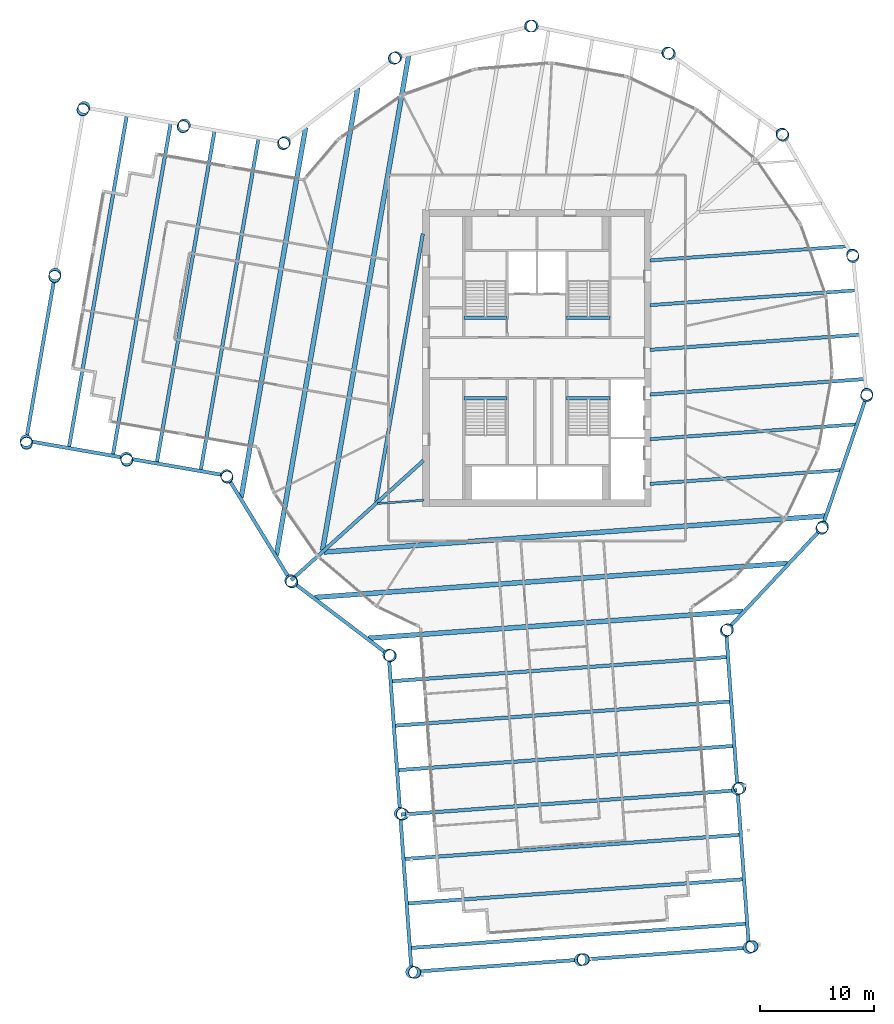
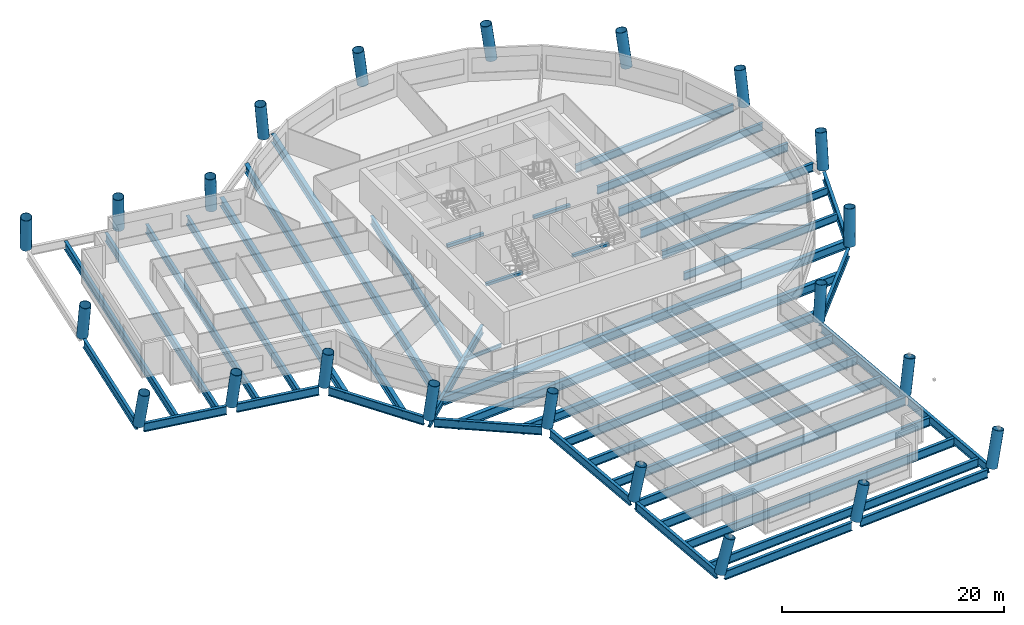
# One storey, part 1 of 11: 43 beams, 22 columns.
"""IFC4 building model written with IfcOpenShell, lengths in metres."""

from ifc_helpers import new_model, si_unit, direction, frame, origin, origin_2d, place, context, subcontext, project, spatial, rectangle, hollow_circle, i_section, extrude, material, material_profile, profile_set, type_object, element, save


model = new_model("IFC4")

# Units and contexts
model_context = context("Model", 3, precision=1e-05, world=origin(), true_north=direction((0.0, 1.0)))
body_context = subcontext(model_context, "Body", "Model", "MODEL_VIEW")
ifc_project = project(units=[si_unit("LENGTHUNIT", "METRE"), si_unit("AREAUNIT", "SQUARE_METRE"), si_unit("VOLUMEUNIT", "CUBIC_METRE"), si_unit("PLANEANGLEUNIT", "RADIAN"), si_unit("MASSUNIT", "GRAM", prefix="KILO")], contexts=[model_context])

# Site, building, storey
site_placement = place(None, origin())
site = spatial("IfcSite", under=ifc_project, at=site_placement, CompositionType="ELEMENT")
building_placement = place(site_placement, origin())
building = spatial("IfcBuilding", under=site, at=building_placement, Name="Tarsis Ring Headquarters", CompositionType="ELEMENT")
storey_placement = place(building_placement, frame((0.0, 0.0, 243.300048828125)))
storey = spatial("IfcBuildingStorey", under=building, at=storey_placement, Name="L57", CompositionType="ELEMENT", Elevation=243.300048828125)

# Columns
ifc_material_1 = material(Name="Structural steel S355", Category="steel")
ifc_material_profile_1 = material_profile(ifc_material_1, hollow_circle(Radius=0.533447265625, WallThickness=0.044921875, at=origin_2d()), Name="CHS 1067x45")
ifc_profile_set_1 = profile_set([ifc_material_profile_1], Name="Structural steel S355")
column_type = type_object("IfcColumnType", Name="XC Exo column CHS 1067x45", PredefinedType="COLUMN", material=ifc_profile_set_1)
for number, where, z_axis, x_axis, name in (
    (1, (-21.54638671875, -19.482666015625, 0.002197265625), (0.087326249168, -0.094827430198, 0.99165613228), (0.735602331975, 0.677413617514, 0.0), "Exo column XC5 F1"),
    (2, (-12.965576171875, -25.994384765625, 0.002197265625), (0.115831206214, -0.056509125967, 0.991660148614), (0.438461855539, 0.898749799019, 0.0), "Exo column XC5 AK"),
):
    element("IfcColumn", number, at=place(storey_placement, frame(where, z_axis=z_axis, x_axis=x_axis)), inside=storey, type_object=column_type, Name=name, PredefinedType="COLUMN", context=body_context, shape_type="SweptSolid", body=[
        extrude(hollow_circle(Radius=0.533447265625, WallThickness=0.044921875, at=origin_2d()), origin(), (0.0, 0.0, 1.0), 3.905517578125),
    ])
column_1_placement = place(storey_placement, frame((-11.966552734375, -39.860595703125, 0.0029296875), z_axis=(0.175817193804, -0.051164416399, 0.983092323669), x_axis=(0.279418138703, 0.960169518243, 0.0)))
element("IfcColumn", 3, at=column_1_placement, inside=storey, type_object=column_type, Name="Exo column XC5 AI1", PredefinedType="COLUMN", context=body_context, shape_type="SweptSolid", body=[
    extrude(hollow_circle(Radius=0.533447265625, WallThickness=0.044921875, at=origin_2d()), origin(), (0.0, 0.0, 1.0), 3.783935546875),
])
column_2_placement = place(storey_placement, frame((-10.967529296875, -53.72705078125, 0.003662109375), z_axis=(0.233954036052, -0.045618488511, 0.971176844102), x_axis=(0.191384751173, 0.981515092609, 0.0)))
element("IfcColumn", 4, at=column_2_placement, inside=storey, type_object=column_type, Name="Exo column XC5 AT1", PredefinedType="COLUMN", context=body_context, shape_type="SweptSolid", body=[
    extrude(hollow_circle(Radius=0.533447265625, WallThickness=0.044921875, at=origin_2d()), origin(), (0.0, 0.0, 1.0), 3.831787109375),
])
column_3_placement = place(storey_placement, frame((3.794189453125, -52.66357421875, 0.003662109375), z_axis=(0.229220708535, 0.018516436065, 0.973198339689), x_axis=(-0.080517666495, 0.996753181777, 0.0)))
element("IfcColumn", 5, at=column_3_placement, inside=storey, type_object=column_type, Name="Exo column XC5 AT2", PredefinedType="COLUMN", context=body_context, shape_type="SweptSolid", body=[
    extrude(hollow_circle(Radius=0.533447265625, WallThickness=0.044921875, at=origin_2d()), origin(), (0.0, 0.0, 1.0), 3.82373046875),
])
column_4_placement = place(storey_placement, frame((18.55615234375, -51.599853515625, 0.003662109375), z_axis=(0.223509899129, 0.082573782574, 0.971197660326), x_axis=(-0.346547849335, 0.938032295884, 0.0)))
element("IfcColumn", 6, at=column_4_placement, inside=storey, type_object=column_type, Name="Exo column XC5 AT3", PredefinedType="COLUMN", context=body_context, shape_type="SweptSolid", body=[
    extrude(hollow_circle(Radius=0.533447265625, WallThickness=0.044921875, at=origin_2d()), origin(), (0.0, 0.0, 1.0), 3.831787109375),
])
column_5_placement = place(storey_placement, frame((17.556884765625, -37.733642578125, 0.0029296875), z_axis=(0.165364785331, 0.078649892048, 0.983091390591), x_axis=(-0.429509545696, 0.90306231798, 0.0)))
element("IfcColumn", 7, at=column_5_placement, inside=storey, type_object=column_type, Name="Exo column XC5 AO1", PredefinedType="COLUMN", context=body_context, shape_type="SweptSolid", body=[
    extrude(hollow_circle(Radius=0.533447265625, WallThickness=0.044921875, at=origin_2d()), origin(), (0.0, 0.0, 1.0), 3.783935546875),
])
for number, where, z_axis, x_axis, name in (
    (8, (16.557861328125, -23.867431640625, 0.002197265625), (0.105266767535, 0.074386848793, 0.991657957352), (-0.577102001508, 0.816672076084, 0.0), "Exo column XC5 AJ"),
    (9, (24.923828125, -14.920654296875, 0.002197265625), (0.065197791622, 0.111205053974, 0.991656535267), (-0.862668787767, 0.505769278044, 0.0), "Exo column XC5 R1"),
):
    element("IfcColumn", number, at=place(storey_placement, frame(where, z_axis=z_axis, x_axis=x_axis)), inside=storey, type_object=column_type, Name=name, PredefinedType="COLUMN", context=body_context, shape_type="SweptSolid", body=[
        extrude(hollow_circle(Radius=0.533447265625, WallThickness=0.044921875, at=origin_2d()), origin(), (0.0, 0.0, 1.0), 3.905517578125),
    ])
column_6_placement = place(storey_placement, frame((28.858154296875, -3.32080078125, 0.002197265625), z_axis=(0.013627112872, 0.128207378442, 0.991653755051), x_axis=(-0.99439867511, 0.105694252157, 0.0)))
element("IfcColumn", 10, at=column_6_placement, inside=storey, type_object=column_type, Name="Exo column XC5 R2", PredefinedType="COLUMN", context=body_context, shape_type="SweptSolid", body=[
    extrude(hollow_circle(Radius=0.533447265625, WallThickness=0.044921875, at=origin_2d()), origin(), (0.0, 0.0, 1.0), 3.90576171875),
])
for number, where, z_axis, x_axis, name in (
    (11, (27.661376953125, 8.869384765625, 0.002197265625), (-0.040443909209, 0.122394396029, 0.991657149437), (-0.949504465328, -0.313753518421, 0.0), "Exo column XC5 R3"),
    (12, (21.54638671875, 19.482666015625, 0.002197265625), (-0.087326249168, 0.094827430198, 0.99165613228), (-0.735602331975, -0.677413617514, 0.0), "Exo column XC5 R4"),
):
    element("IfcColumn", number, at=place(storey_placement, frame(where, z_axis=z_axis, x_axis=x_axis)), inside=storey, type_object=column_type, Name=name, PredefinedType="COLUMN", context=body_context, shape_type="SweptSolid", body=[
        extrude(hollow_circle(Radius=0.533447265625, WallThickness=0.044921875, at=origin_2d()), origin(), (0.0, 0.0, 1.0), 3.905517578125),
    ])
column_7_placement = place(storey_placement, frame((11.600341796875, 26.6318359375, 0.002197265625), z_axis=(-0.118643504964, 0.050445368022, 0.991654669517), x_axis=(-0.391284374714, -0.9202698181, 0.0)))
element("IfcColumn", 13, at=column_7_placement, inside=storey, type_object=column_type, Name="Exo column XC5 R5", PredefinedType="COLUMN", context=body_context, shape_type="SweptSolid", body=[
    extrude(hollow_circle(Radius=0.533447265625, WallThickness=0.044921875, at=origin_2d()), origin(), (0.0, 0.0, 1.0), 3.90576171875),
])
for number, where, z_axis, x_axis, name in (
    (14, (-0.408447265625, 29.045654296875, 0.002197265625), (-0.128833531274, -0.002937979607, 0.991661882647), (0.022798536507, -0.999740079587, 0.0), "Exo column XC5 R6"),
    (15, (-12.344482421875, 26.295166015625, 0.002197265625), (-0.116205698057, -0.055821241724, 0.991655295308), (0.432999025794, -0.901394388523, 0.0), "Exo column XC5 R7"),
):
    element("IfcColumn", number, at=place(storey_placement, frame(where, z_axis=z_axis, x_axis=x_axis)), inside=storey, type_object=column_type, Name=name, PredefinedType="COLUMN", context=body_context, shape_type="SweptSolid", body=[
        extrude(hollow_circle(Radius=0.533447265625, WallThickness=0.044921875, at=origin_2d()), origin(), (0.0, 0.0, 1.0), 3.905517578125),
    ])
column_8_placement = place(storey_placement, frame((-22.08544921875, 18.869140625, 0.002197265625), z_axis=(-0.08288776246, -0.098765207155, 0.991652687532), x_axis=(0.765991305622, -0.642850931174, 0.0)))
element("IfcColumn", 16, at=column_8_placement, inside=storey, type_object=column_type, Name="Exo column XC5 BJ", PredefinedType="COLUMN", context=body_context, shape_type="SweptSolid", body=[
    extrude(hollow_circle(Radius=0.533447265625, WallThickness=0.044921875, at=origin_2d()), origin(), (0.0, 0.0, 1.0), 3.90576171875),
])
column_9_placement = place(storey_placement, frame((-30.855712890625, 20.396484375, 0.002685546875), z_axis=(-0.088901318808, -0.136996496187, 0.986574130791), x_axis=(0.838853007413, -0.544357999808, 0.0)))
element("IfcColumn", 17, at=column_9_placement, inside=storey, type_object=column_type, Name="Exo column XC5 BO1", PredefinedType="COLUMN", context=body_context, shape_type="SweptSolid", body=[
    extrude(hollow_circle(Radius=0.533447265625, WallThickness=0.044921875, at=origin_2d()), origin(), (0.0, 0.0, 1.0), 3.9189453125),
])
column_10_placement = place(storey_placement, frame((-39.6259765625, 21.923828125, 0.003173828125), z_axis=(-0.094671379759, -0.174649166196, 0.980068874417), x_axis=(0.879144888375, -0.476554577404, 0.0)))
element("IfcColumn", 18, at=column_10_placement, inside=storey, type_object=column_type, Name="Exo column XC5 BT3", PredefinedType="COLUMN", context=body_context, shape_type="SweptSolid", body=[
    extrude(hollow_circle(Radius=0.533447265625, WallThickness=0.044921875, at=origin_2d()), origin(), (0.0, 0.0, 1.0), 3.937744140625),
])
column_11_placement = place(storey_placement, frame((-42.165283203125, 7.34326171875, 0.0029296875), z_axis=(-0.03067648406, -0.185611358008, 0.982144275096), x_axis=(0.986616044722, -0.163060664467, 0.0)))
element("IfcColumn", 19, at=column_11_placement, inside=storey, type_object=column_type, Name="Exo column XC5 BT2", PredefinedType="COLUMN", context=body_context, shape_type="SweptSolid", body=[
    extrude(hollow_circle(Radius=0.533447265625, WallThickness=0.044921875, at=origin_2d()), origin(), (0.0, 0.0, 1.0), 3.931640625),
])
column_12_placement = place(storey_placement, frame((-44.70458984375, -7.2373046875, 0.003173828125), z_axis=(0.033417314859, -0.195791985762, 0.980075905927), x_axis=(0.985745265174, 0.168244679521, 0.0)))
element("IfcColumn", 20, at=column_12_placement, inside=storey, type_object=column_type, Name="Exo column XC5 BT1", PredefinedType="COLUMN", context=body_context, shape_type="SweptSolid", body=[
    extrude(hollow_circle(Radius=0.533447265625, WallThickness=0.044921875, at=origin_2d()), origin(), (0.0, 0.0, 1.0), 3.937744140625),
])
column_13_placement = place(storey_placement, frame((-35.934326171875, -8.7646484375, 0.002685546875), z_axis=(0.040058687927, -0.158303461934, 0.986577577011), x_axis=(0.969442795548, 0.245317480338, 0.0)))
element("IfcColumn", 21, at=column_13_placement, inside=storey, type_object=column_type, Name="Exo column XC5 BI1", PredefinedType="COLUMN", context=body_context, shape_type="SweptSolid", body=[
    extrude(hollow_circle(Radius=0.533447265625, WallThickness=0.044921875, at=origin_2d()), origin(), (0.0, 0.0, 1.0), 3.918701171875),
])
column_14_placement = place(storey_placement, frame((-27.1640625, -10.2919921875, 0.002197265625), z_axis=(0.046694925357, -0.120144105136, 0.991657691921), x_axis=(0.932077460522, 0.362259033824, 0.0)))
element("IfcColumn", 22, at=column_14_placement, inside=storey, type_object=column_type, Name="Exo column XC5 BK", PredefinedType="COLUMN", context=body_context, shape_type="SweptSolid", body=[
    extrude(hollow_circle(Radius=0.533447265625, WallThickness=0.044921875, at=origin_2d()), origin(), (0.0, 0.0, 1.0), 3.905517578125),
])

# Beams
ifc_material_profile_2 = material_profile(ifc_material_1, i_section(OverallWidth=0.177734375, OverallDepth=0.406494140625, WebThickness=0.0078125, FlangeThickness=0.0126953125, at=origin_2d()), Name="W16x40")
ifc_profile_set_2 = profile_set([ifc_material_profile_2], Name="Structural steel S355")
beam_type_1 = type_object("IfcBeamType", Name="FB Floor beam W16x40", PredefinedType="JOIST", material=ifc_profile_set_2)
beam_1_placement = place(storey_placement, frame((-13.94482421875, -12.73486328125, -0.36328125), z_axis=(0.997412960499, 0.071884534003, 0.0), x_axis=(-0.071884534003, 0.997412960499, 0.0)))
element("IfcBeam", 23, at=beam_1_placement, inside=storey, type_object=beam_type_1, Name="Floor beam FB1", PredefinedType="JOIST", context=body_context, shape_type="SweptSolid", body=[
    extrude(i_section(OverallWidth=0.177734375, OverallDepth=0.406494140625, WebThickness=0.0078125, FlangeThickness=0.0126953125, at=origin_2d()), origin(), (0.0, 0.0, 1.0), 4.05517578125),
])
ifc_material_profile_3 = material_profile(ifc_material_1, i_section(OverallWidth=0.2919921875, OverallDepth=0.835693359375, WebThickness=0.013916015625, FlangeThickness=0.018798828125, at=origin_2d()), Name="W33x118")
ifc_profile_set_3 = profile_set([ifc_material_profile_3], Name="Structural steel S355")
beam_type_2 = type_object("IfcBeamType", Name="FB Floor beam W33x118", PredefinedType="JOIST", material=ifc_profile_set_3)
beam_2_placement = place(storey_placement, frame((9.900146484375, 8.533447265625, -0.577880859375), z_axis=(0.997415823022, 0.071844804864, 0.0), x_axis=(-0.071844804864, 0.997415823022, 0.0)))
element("IfcBeam", 24, at=beam_2_placement, inside=storey, type_object=beam_type_2, Name="Floor beam FB7", PredefinedType="JOIST", context=body_context, shape_type="SweptSolid", body=[
    extrude(i_section(OverallWidth=0.2919921875, OverallDepth=0.835693359375, WebThickness=0.013916015625, FlangeThickness=0.018798828125, at=origin_2d()), origin(), (0.0, 0.0, 1.0), 17.211669921875),
])
beam_3_placement = place(storey_placement, frame((9.900146484375, 4.623291015625, -0.577880859375), z_axis=(0.997416211841, 0.071839406711, 0.0), x_axis=(-0.071839406711, 0.997416211841, 0.0)))
element("IfcBeam", 25, at=beam_3_placement, inside=storey, type_object=beam_type_2, Name="Floor beam FB7", PredefinedType="JOIST", context=body_context, shape_type="SweptSolid", body=[
    extrude(i_section(OverallWidth=0.2919921875, OverallDepth=0.835693359375, WebThickness=0.013916015625, FlangeThickness=0.018798828125, at=origin_2d()), origin(), (0.0, 0.0, 1.0), 18.042236328125),
])
beam_4_placement = place(storey_placement, frame((9.900146484375, -7.107177734375, -0.577880859375), z_axis=(0.997415784041, 0.071845346022, 0.0), x_axis=(-0.071845346022, 0.997415784041, 0.0)))
element("IfcBeam", 26, at=beam_4_placement, inside=storey, type_object=beam_type_2, Name="Floor beam FB7", PredefinedType="JOIST", context=body_context, shape_type="SweptSolid", body=[
    extrude(i_section(OverallWidth=0.2919921875, OverallDepth=0.835693359375, WebThickness=0.013916015625, FlangeThickness=0.018798828125, at=origin_2d()), origin(), (0.0, 0.0, 1.0), 18.09521484375),
])
beam_5_placement = place(storey_placement, frame((9.900146484375, -11.01708984375, -0.577880859375), z_axis=(0.997415709447, 0.071846381599, 0.0), x_axis=(-0.071846381599, 0.997415709447, 0.0)))
element("IfcBeam", 27, at=beam_5_placement, inside=storey, type_object=beam_type_2, Name="Floor beam FB7", PredefinedType="JOIST", context=body_context, shape_type="SweptSolid", body=[
    extrude(i_section(OverallWidth=0.2919921875, OverallDepth=0.835693359375, WebThickness=0.013916015625, FlangeThickness=0.018798828125, at=origin_2d()), origin(), (0.0, 0.0, 1.0), 16.732177734375),
])
ifc_material_profile_4 = material_profile(ifc_material_1, i_section(OverallWidth=0.3046875, OverallDepth=0.904296875, WebThickness=0.01513671875, FlangeThickness=0.02001953125, at=origin_2d()), Name="W36x135")
ifc_profile_set_4 = profile_set([ifc_material_profile_4], Name="Structural steel S355")
beam_type_3 = type_object("IfcBeamType", Name="FB Floor beam W36x135", PredefinedType="JOIST", material=ifc_profile_set_4)
beam_6_placement = place(storey_placement, frame((9.900146484375, 0.713134765625, -0.612060546875), z_axis=(0.997415672329, 0.071846896884, 0.0), x_axis=(-0.071846896884, 0.997415672329, 0.0)))
element("IfcBeam", 28, at=beam_6_placement, inside=storey, type_object=beam_type_3, Name="Floor beam FB8", PredefinedType="JOIST", context=body_context, shape_type="SweptSolid", body=[
    extrude(i_section(OverallWidth=0.3046875, OverallDepth=0.904296875, WebThickness=0.01513671875, FlangeThickness=0.02001953125, at=origin_2d()), origin(), (0.0, 0.0, 1.0), 18.42431640625),
])
beam_7_placement = place(storey_placement, frame((9.900146484375, -3.197021484375, -0.612060546875), z_axis=(0.997415154688, 0.071854082689, 0.0), x_axis=(-0.071854082689, 0.997415154688, 0.0)))
element("IfcBeam", 29, at=beam_7_placement, inside=storey, type_object=beam_type_3, Name="Floor beam FB8", PredefinedType="JOIST", context=body_context, shape_type="SweptSolid", body=[
    extrude(i_section(OverallWidth=0.3046875, OverallDepth=0.904296875, WebThickness=0.01513671875, FlangeThickness=0.02001953125, at=origin_2d()), origin(), (0.0, 0.0, 1.0), 18.806396484375),
])
ifc_material_profile_5 = material_profile(ifc_material_1, i_section(OverallWidth=0.3046875, OverallDepth=0.91943359375, WebThickness=0.017333984375, FlangeThickness=0.02783203125, at=origin_2d()), Name="W36x170")
ifc_profile_set_5 = profile_set([ifc_material_profile_5], Name="Structural steel S355")
beam_type_4 = type_object("IfcBeamType", Name="FB Floor beam W36x170", PredefinedType="JOIST", material=ifc_profile_set_5)
beam_8_placement = place(storey_placement, frame((-9.98291015625, 10.870361328125, -0.619873046875), z_axis=(-0.17158642334, -0.985169071442, 0.0), x_axis=(0.985169071442, -0.17158642334, 0.0)))
element("IfcBeam", 30, at=beam_8_placement, inside=storey, type_object=beam_type_4, Name="Floor beam FB9", PredefinedType="JOIST", context=body_context, shape_type="SweptSolid", body=[
    extrude(i_section(OverallWidth=0.3046875, OverallDepth=0.91943359375, WebThickness=0.017333984375, FlangeThickness=0.02783203125, at=origin_2d()), origin(), (0.0, 0.0, 1.0), 23.81982421875),
])
ifc_material_profile_6 = material_profile(ifc_material_1, i_section(OverallWidth=0.309814453125, OverallDepth=0.949951171875, WebThickness=0.0244140625, FlangeThickness=0.0439453125, at=origin_2d()), Name="W36x256")
ifc_profile_set_6 = profile_set([ifc_material_profile_6], Name="Structural steel S355")
beam_type_5 = type_object("IfcBeamType", Name="FB Floor beam W36x256", PredefinedType="JOIST", material=ifc_profile_set_6)
for number, where, z_axis, x_axis, name in (
    (31, (-12.74560546875, -28.288818359375, -0.635009765625), (0.997415951335, 0.071843023479, 0.0), (-0.071843023479, 0.997415951335, 0.0), "Floor beam FB11"),
    (32, (-12.46533203125, -32.1787109375, -0.635009765625), (0.997415951335, 0.071843023479, 0.0), (-0.071843023479, 0.997415951335, 0.0), "Floor beam FB11"),
    (33, (-12.18505859375, -36.068603515625, -0.635009765625), (0.997415951335, 0.071843023479, 0.0), (-0.071843023479, 0.997415951335, 0.0), "Floor beam FB11"),
):
    element("IfcBeam", number, at=place(storey_placement, frame(where, z_axis=z_axis, x_axis=x_axis)), inside=storey, type_object=beam_type_5, Name=name, PredefinedType="JOIST", context=body_context, shape_type="SweptSolid", body=[
        extrude(i_section(OverallWidth=0.309814453125, OverallDepth=0.949951171875, WebThickness=0.0244140625, FlangeThickness=0.0439453125, at=origin_2d()), origin(), (0.0, 0.0, 1.0), 29.489990234375),
    ])
beam_9_placement = place(storey_placement, frame((-11.905029296875, -39.95849609375, -0.635009765625), z_axis=(0.997415994065, 0.07184243025, 0.0), x_axis=(-0.07184243025, 0.997415994065, 0.0)))
element("IfcBeam", 34, at=beam_9_placement, inside=storey, type_object=beam_type_5, Name="Floor beam FB11", PredefinedType="JOIST", context=body_context, shape_type="SweptSolid", body=[
    extrude(i_section(OverallWidth=0.309814453125, OverallDepth=0.949951171875, WebThickness=0.0244140625, FlangeThickness=0.0439453125, at=origin_2d()), origin(), (0.0, 0.0, 1.0), 29.490234375),
])
for number, where, z_axis, x_axis, name in (
    (35, (-11.624755859375, -43.848388671875, -0.635009765625), (0.997415951335, 0.071843023479, 0.0), (-0.071843023479, 0.997415951335, 0.0), "Floor beam FB11"),
    (36, (-11.344482421875, -47.738525390625, -0.635009765625), (0.997415358068, 0.071851259495, 0.0), (-0.071851259495, 0.997415358068, 0.0), "Floor beam FB11"),
):
    element("IfcBeam", number, at=place(storey_placement, frame(where, z_axis=z_axis, x_axis=x_axis)), inside=storey, type_object=beam_type_5, Name=name, PredefinedType="JOIST", context=body_context, shape_type="SweptSolid", body=[
        extrude(i_section(OverallWidth=0.309814453125, OverallDepth=0.949951171875, WebThickness=0.0244140625, FlangeThickness=0.0439453125, at=origin_2d()), origin(), (0.0, 0.0, 1.0), 29.489990234375),
    ])
beam_10_placement = place(storey_placement, frame((-11.064453125, -51.62841796875, -0.635009765625), z_axis=(0.997415400807, 0.071850666199, 0.0), x_axis=(-0.071850666199, 0.997415400807, 0.0)))
element("IfcBeam", 37, at=beam_10_placement, inside=storey, type_object=beam_type_5, Name="Floor beam FB11", PredefinedType="JOIST", context=body_context, shape_type="SweptSolid", body=[
    extrude(i_section(OverallWidth=0.309814453125, OverallDepth=0.949951171875, WebThickness=0.0244140625, FlangeThickness=0.0439453125, at=origin_2d()), origin(), (0.0, 0.0, 1.0), 29.490234375),
])
for number, where, z_axis, x_axis, name in (
    (38, (-24.364990234375, 19.210693359375, -0.635009765625), (-0.171585035174, -0.985169313217, 0.0), (0.985169313217, -0.171585035174, 0.0), "Floor beam FB11"),
    (39, (-28.207275390625, 19.8798828125, -0.635009765625), (-0.171585035174, -0.985169313217, 0.0), (0.985169313217, -0.171585035174, 0.0), "Floor beam FB11"),
    (40, (-32.04931640625, 20.549072265625, -0.635009765625), (-0.171585035174, -0.985169313217, 0.0), (0.985169313217, -0.171585035174, 0.0), "Floor beam FB11"),
    (41, (-35.8916015625, 21.21826171875, -0.635009765625), (-0.171585035174, -0.985169313217, 0.0), (0.985169313217, -0.171585035174, 0.0), "Floor beam FB11"),
):
    element("IfcBeam", number, at=place(storey_placement, frame(where, z_axis=z_axis, x_axis=x_axis)), inside=storey, type_object=beam_type_5, Name=name, PredefinedType="JOIST", context=body_context, shape_type="SweptSolid", body=[
        extrude(i_section(OverallWidth=0.309814453125, OverallDepth=0.949951171875, WebThickness=0.0244140625, FlangeThickness=0.0439453125, at=origin_2d()), origin(), (0.0, 0.0, 1.0), 29.489990234375),
    ])
beam_type_6 = type_object("IfcBeamType", Name="FB Floor beam W36x256 spine", PredefinedType="BEAM", material=ifc_profile_set_6)
beam_11_placement = place(storey_placement, frame((-9.92578125, -8.974853515625, -0.635009765625), z_axis=(-0.741734357676, -0.670693777102, 0.0), x_axis=(0.670693777102, -0.741734357676, 0.0)))
element("IfcBeam", 42, at=beam_11_placement, inside=storey, type_object=beam_type_6, Name="Floor beam SB11", PredefinedType="BEAM", context=body_context, shape_type="SweptSolid", body=[
    extrude(i_section(OverallWidth=0.309814453125, OverallDepth=0.949951171875, WebThickness=0.0244140625, FlangeThickness=0.0439453125, at=origin_2d()), origin(), (0.0, 0.0, 1.0), 15.609130859375),
])
ifc_material_profile_7 = material_profile(ifc_material_1, i_section(OverallWidth=0.42431640625, OverallDepth=0.947509765625, WebThickness=0.02392578125, FlangeThickness=0.042724609375, at=origin_2d()), Name="W36x302")
ifc_profile_set_7 = profile_set([ifc_material_profile_7], Name="Structural steel S355")
beam_type_7 = type_object("IfcBeamType", Name="FB Floor beam W36x302", PredefinedType="JOIST", material=ifc_profile_set_7)
beam_12_placement = place(storey_placement, frame((-18.643310546875, -16.9833984375, -0.6337890625), z_axis=(0.997415495682, 0.071849349157, 0.0), x_axis=(-0.071849349157, 0.997415495682, 0.0)))
element("IfcBeam", 43, at=beam_12_placement, inside=storey, type_object=beam_type_7, Name="Floor beam FB12", PredefinedType="JOIST", context=body_context, shape_type="SweptSolid", body=[
    extrude(i_section(OverallWidth=0.42431640625, OverallDepth=0.947509765625, WebThickness=0.02392578125, FlangeThickness=0.042724609375, at=origin_2d()), origin(), (0.0, 0.0, 1.0), 43.986572265625),
])
beam_13_placement = place(storey_placement, frame((-19.46240234375, -20.952392578125, -0.6337890625), z_axis=(0.997416022585, 0.071842034284, 0.0), x_axis=(-0.071842034284, 0.997416022585, 0.0)))
element("IfcBeam", 44, at=beam_13_placement, inside=storey, type_object=beam_type_7, Name="Floor beam FB12", PredefinedType="JOIST", context=body_context, shape_type="SweptSolid", body=[
    extrude(i_section(OverallWidth=0.42431640625, OverallDepth=0.947509765625, WebThickness=0.02392578125, FlangeThickness=0.042724609375, at=origin_2d()), origin(), (0.0, 0.0, 1.0), 41.523681640625),
])
beam_14_placement = place(storey_placement, frame((-14.756591796875, -24.523681640625, -0.6337890625), z_axis=(0.997415505988, 0.071849206088, 0.0), x_axis=(-0.071849206088, 0.997415505988, 0.0)))
element("IfcBeam", 45, at=beam_14_placement, inside=storey, type_object=beam_type_7, Name="Floor beam FB12", PredefinedType="JOIST", context=body_context, shape_type="SweptSolid", body=[
    extrude(i_section(OverallWidth=0.42431640625, OverallDepth=0.947509765625, WebThickness=0.02392578125, FlangeThickness=0.042724609375, at=origin_2d()), origin(), (0.0, 0.0, 1.0), 32.875244140625),
])
beam_15_placement = place(storey_placement, frame((-11.22119140625, 26.489501953125, -0.6337890625), z_axis=(-0.171583368302, -0.985169603531, 0.0), x_axis=(0.985169603531, -0.171583368302, 0.0)))
element("IfcBeam", 46, at=beam_15_placement, inside=storey, type_object=beam_type_7, Name="Floor beam FB12", PredefinedType="JOIST", context=body_context, shape_type="SweptSolid", body=[
    extrude(i_section(OverallWidth=0.42431640625, OverallDepth=0.947509765625, WebThickness=0.02392578125, FlangeThickness=0.042724609375, at=origin_2d()), origin(), (0.0, 0.0, 1.0), 43.986572265625),
])
beam_16_placement = place(storey_placement, frame((-15.675048828125, 23.646728515625, -0.6337890625), z_axis=(-0.171582597518, -0.985169737776, 0.0), x_axis=(0.985169737776, -0.171582597518, 0.0)))
element("IfcBeam", 47, at=beam_16_placement, inside=storey, type_object=beam_type_7, Name="Floor beam FB12", PredefinedType="JOIST", context=body_context, shape_type="SweptSolid", body=[
    extrude(i_section(OverallWidth=0.42431640625, OverallDepth=0.947509765625, WebThickness=0.02392578125, FlangeThickness=0.042724609375, at=origin_2d()), origin(), (0.0, 0.0, 1.0), 41.523681640625),
])
beam_17_placement = place(storey_placement, frame((-20.23974609375, 20.166748046875, -0.6337890625), z_axis=(-0.171591264012, -0.985168228332, 0.0), x_axis=(0.985168228332, -0.171591264012, 0.0)))
element("IfcBeam", 48, at=beam_17_placement, inside=storey, type_object=beam_type_7, Name="Floor beam FB12", PredefinedType="JOIST", context=body_context, shape_type="SweptSolid", body=[
    extrude(i_section(OverallWidth=0.42431640625, OverallDepth=0.947509765625, WebThickness=0.02392578125, FlangeThickness=0.042724609375, at=origin_2d()), origin(), (0.0, 0.0, 1.0), 32.875244140625),
])
ifc_material_2 = material(Name="Concrete C40/50", Category="concrete")
ifc_material_profile_8 = material_profile(ifc_material_2, rectangle(XDim=0.300048828125, YDim=0.300048828125, at=origin_2d()), Name="Stair head beam 300x300 C40/50")
ifc_profile_set_8 = profile_set([ifc_material_profile_8], Name="Concrete C40/50")
beam_type_8 = type_object("IfcBeamType", Name="Stair head beam 300x300 C40/50", PredefinedType="BEAM", material=ifc_profile_set_8)
for number, where, z_axis, x_axis, name in (
    (49, (-6.39990234375, 3.510009765625, -0.31005859375), (1.0, 0.0, 0.0), (0.0, 1.0, 0.0), "Stair head beam L57 Firefighting stair"),
    (50, (2.60009765625, 3.510009765625, -0.31005859375), (1.0, 0.0, 0.0), (0.0, 1.0, 0.0), "Stair head beam L57 Exit stair B"),
    (51, (-6.39990234375, -3.510009765625, -0.31005859375), (1.0, 0.0, 0.0), (0.0, 1.0, 0.0), "Stair head beam L57 Exit stair C"),
    (52, (2.60009765625, -3.510009765625, -0.31005859375), (1.0, 0.0, 0.0), (0.0, 1.0, 0.0), "Stair head beam L57 Exit stair D"),
):
    element("IfcBeam", number, at=place(storey_placement, frame(where, z_axis=z_axis, x_axis=x_axis)), inside=storey, type_object=beam_type_8, Name=name, PredefinedType="BEAM", context=body_context, shape_type="SweptSolid", body=[
        extrude(rectangle(XDim=0.300048828125, YDim=0.300048828125, at=origin_2d()), origin(), (0.0, 0.0, 1.0), 3.7998046875),
    ])
beam_type_9 = type_object("IfcBeamType", Name="XG Ring girder W36x256", PredefinedType="BEAM", material=ifc_profile_set_6)
beam_18_placement = place(storey_placement, frame((-21.1640625, -19.772705078125, -0.47509765625), z_axis=(0.796580119537, -0.60453297111, 0.0), x_axis=(0.60453297111, 0.796580119537, 0.0)))
element("IfcBeam", 53, at=beam_18_placement, inside=storey, type_object=beam_type_9, Name="Ring girder XG2", PredefinedType="BEAM", context=body_context, shape_type="SweptSolid", body=[
    extrude(i_section(OverallWidth=0.309814453125, OverallDepth=0.949951171875, WebThickness=0.0244140625, FlangeThickness=0.0439453125, at=origin_2d()), origin(), (0.0, 0.0, 1.0), 9.8115234375),
])
for number, where, z_axis, x_axis, name in (
    (54, (-12.931396484375, -26.47314453125, -0.47509765625), (0.071834216405, -0.997416585662, 0.0), (0.997416585662, 0.071834216405, 0.0), "Ring girder XG2"),
    (55, (-11.9326171875, -40.33935546875, -0.47509765625), (0.071852983053, -0.997415233905, 0.0), (0.997415233905, 0.071852983053, 0.0), "Ring girder XG2"),
):
    element("IfcBeam", number, at=place(storey_placement, frame(where, z_axis=z_axis, x_axis=x_axis)), inside=storey, type_object=beam_type_9, Name=name, PredefinedType="BEAM", context=body_context, shape_type="SweptSolid", body=[
        extrude(i_section(OverallWidth=0.309814453125, OverallDepth=0.949951171875, WebThickness=0.0244140625, FlangeThickness=0.0439453125, at=origin_2d()), origin(), (0.0, 0.0, 1.0), 12.942138671875),
    ])
for number, where, z_axis, x_axis, name in (
    (56, (-10.489501953125, -53.6923828125, -0.47509765625), (0.997415536982, 0.071848775815, 0.0), (-0.071848775815, 0.997415536982, 0.0), "Ring girder XG2"),
    (57, (4.272216796875, -52.629150390625, -0.47509765625), (0.997415536982, 0.071848775815, 0.0), (-0.071848775815, 0.997415536982, 0.0), "Ring girder XG2"),
):
    element("IfcBeam", number, at=place(storey_placement, frame(where, z_axis=z_axis, x_axis=x_axis)), inside=storey, type_object=beam_type_9, Name=name, PredefinedType="BEAM", context=body_context, shape_type="SweptSolid", body=[
        extrude(i_section(OverallWidth=0.309814453125, OverallDepth=0.949951171875, WebThickness=0.0244140625, FlangeThickness=0.0439453125, at=origin_2d()), origin(), (0.0, 0.0, 1.0), 13.840087890625),
    ])
for number, where, z_axis, x_axis, name in (
    (58, (18.520751953125, -51.121337890625, -0.47509765625), (-0.071852983053, 0.997415233905, 0.0), (-0.997415233905, -0.071852983053, 0.0), "Ring girder XG2"),
    (59, (17.52197265625, -37.255126953125, -0.47509765625), (-0.071852983053, 0.997415233905, 0.0), (-0.997415233905, -0.071852983053, 0.0), "Ring girder XG2"),
):
    element("IfcBeam", number, at=place(storey_placement, frame(where, z_axis=z_axis, x_axis=x_axis)), inside=storey, type_object=beam_type_9, Name=name, PredefinedType="BEAM", context=body_context, shape_type="SweptSolid", body=[
        extrude(i_section(OverallWidth=0.309814453125, OverallDepth=0.949951171875, WebThickness=0.0244140625, FlangeThickness=0.0439453125, at=origin_2d()), origin(), (0.0, 0.0, 1.0), 12.942138671875),
    ])
for number, where, z_axis, x_axis, name in (
    (60, (16.885498046875, -23.51708984375, -0.47509765625), (0.682995271212, 0.730422795032, 0.0), (-0.730422795032, 0.682995271212, 0.0), "Ring girder XG2"),
    (61, (25.077880859375, -14.46630859375, -0.47509765625), (0.321199718676, 0.947011478664, 0.0), (-0.947011478664, 0.321199718676, 0.0), "Ring girder XG2"),
):
    element("IfcBeam", number, at=place(storey_placement, frame(where, z_axis=z_axis, x_axis=x_axis)), inside=storey, type_object=beam_type_9, Name=name, PredefinedType="BEAM", context=body_context, shape_type="SweptSolid", body=[
        extrude(i_section(OverallWidth=0.309814453125, OverallDepth=0.949951171875, WebThickness=0.0244140625, FlangeThickness=0.0439453125, at=origin_2d()), origin(), (0.0, 0.0, 1.0), 11.288818359375),
    ])
beam_19_placement = place(storey_placement, frame((-42.24755859375, 6.870849609375, -0.47509765625), z_axis=(-0.171589074897, -0.985168609618, 0.0), x_axis=(0.985168609618, -0.171589074897, 0.0)))
element("IfcBeam", 62, at=beam_19_placement, inside=storey, type_object=beam_type_9, Name="Ring girder XG2", PredefinedType="BEAM", context=body_context, shape_type="SweptSolid", body=[
    extrude(i_section(OverallWidth=0.309814453125, OverallDepth=0.949951171875, WebThickness=0.0244140625, FlangeThickness=0.0439453125, at=origin_2d()), origin(), (0.0, 0.0, 1.0), 13.83984375),
])
beam_20_placement = place(storey_placement, frame((-44.231689453125, -7.319091796875, -0.47509765625), z_axis=(0.985167952874, -0.171592845511, 0.0), x_axis=(0.171592845511, 0.985167952874, 0.0)))
element("IfcBeam", 63, at=beam_20_placement, inside=storey, type_object=beam_type_9, Name="Ring girder XG2", PredefinedType="BEAM", context=body_context, shape_type="SweptSolid", body=[
    extrude(i_section(OverallWidth=0.309814453125, OverallDepth=0.949951171875, WebThickness=0.0244140625, FlangeThickness=0.0439453125, at=origin_2d()), origin(), (0.0, 0.0, 1.0), 7.94189453125),
])
beam_21_placement = place(storey_placement, frame((-35.461669921875, -8.846435546875, -0.47509765625), z_axis=(0.985168857956, -0.171587649072, 0.0), x_axis=(0.171587649072, 0.985168857956, 0.0)))
element("IfcBeam", 64, at=beam_21_placement, inside=storey, type_object=beam_type_9, Name="Ring girder XG2", PredefinedType="BEAM", context=body_context, shape_type="SweptSolid", body=[
    extrude(i_section(OverallWidth=0.309814453125, OverallDepth=0.949951171875, WebThickness=0.0244140625, FlangeThickness=0.0439453125, at=origin_2d()), origin(), (0.0, 0.0, 1.0), 7.942138671875),
])
beam_22_placement = place(storey_placement, frame((-26.913818359375, -10.701171875, -0.47509765625), z_axis=(0.521522475771, -0.853237544454, 0.0), x_axis=(0.853237544454, 0.521522475771, 0.0)))
element("IfcBeam", 65, at=beam_22_placement, inside=storey, type_object=beam_type_9, Name="Ring girder XG2", PredefinedType="BEAM", context=body_context, shape_type="SweptSolid", body=[
    extrude(i_section(OverallWidth=0.309814453125, OverallDepth=0.949951171875, WebThickness=0.0244140625, FlangeThickness=0.0439453125, at=origin_2d()), origin(), (0.0, 0.0, 1.0), 9.8115234375),
])

save(model, "model.ifc")
